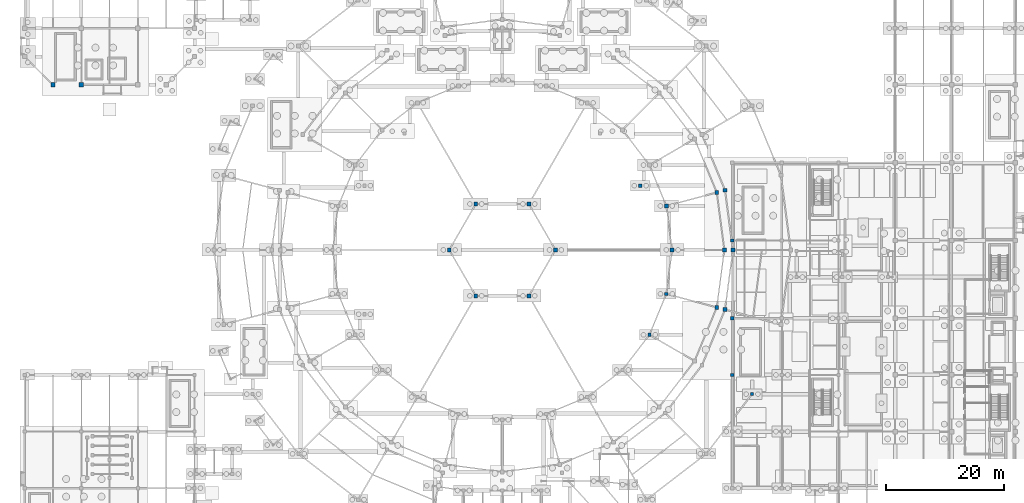
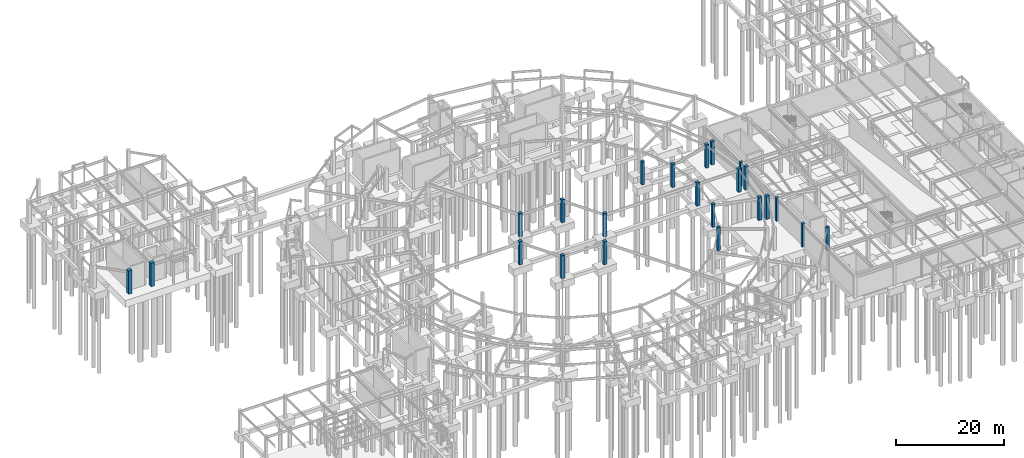
# One storey, part 18 of 55: 23 columns.
"""IFC4 building model written with IfcOpenShell, lengths in metres."""

from ifc_helpers import new_model, si_unit, direction, frame, origin, origin_2d, place, context, subcontext, project, spatial, rectangle, extrude, material, material_profile, profile_set, type_object, element, save


model = new_model("IFC4")

# Units and contexts
model_context = context("Model", 3, precision=1e-05, world=origin(), true_north=direction((0.0, 1.0)))
body_context = subcontext(model_context, "Body", "Model", "MODEL_VIEW")
ifc_project = project(units=[si_unit("LENGTHUNIT", "METRE"), si_unit("AREAUNIT", "SQUARE_METRE"), si_unit("VOLUMEUNIT", "CUBIC_METRE"), si_unit("PLANEANGLEUNIT", "RADIAN"), si_unit("MASSUNIT", "GRAM", prefix="KILO")], contexts=[model_context])

# Site, building, storey
site_placement = place(None, origin())
site = spatial("IfcSite", under=ifc_project, at=site_placement, CompositionType="ELEMENT")
building_placement = place(site_placement, origin())
building = spatial("IfcBuilding", under=site, at=building_placement, Name="Almandine Court Research Institute", CompositionType="ELEMENT")
storey_placement = place(building_placement, frame((0.0, 0.0, -5.25)))
storey = spatial("IfcBuildingStorey", under=building, at=storey_placement, Name="B1", CompositionType="ELEMENT", Elevation=-5.25)

# Columns
ifc_material = material(Name="Concrete C40/50", Category="concrete")
ifc_material_profile_1 = material_profile(ifc_material, rectangle(XDim=0.75, YDim=0.75, at=origin_2d()), Name="RC 750x750")
ifc_profile_set_1 = profile_set([ifc_material_profile_1], Name="Concrete C40/50")
column_type_1 = type_object("IfcColumnType", Name="Col-C-RC1", PredefinedType="COLUMN", material=ifc_profile_set_1)
for number, where, z_axis, x_axis, name in (
    (1, (15.60009765625, 84.0, 0.0), (0.0, 0.0, 1.0), (1.0, 0.0, 0.0), "B1 V3 Column V3-X2Y1"),
    (2, (10.800048828125, 84.0, 0.0), (0.0, 0.0, 1.0), (1.0, 0.0, 0.0), "B1 V3 Column V3-CH1"),
):
    element("IfcColumn", number, at=place(storey_placement, frame(where, z_axis=z_axis, x_axis=x_axis)), inside=storey, type_object=column_type_1, Name=name, PredefinedType="COLUMN", context=body_context, shape_type="SweptSolid", body=[
        extrude(rectangle(XDim=0.75, YDim=0.75, at=origin_2d()), origin(), (0.0, 0.0, 1.0), 5.25),
    ])
ifc_material_profile_2 = material_profile(ifc_material, rectangle(XDim=0.64990234375, YDim=0.64990234375, at=origin_2d()), Name="RC 650x650")
ifc_profile_set_2 = profile_set([ifc_material_profile_2], Name="Concrete C40/50")
column_type_2 = type_object("IfcColumnType", Name="Col-C-RC2", PredefinedType="COLUMN", material=ifc_profile_set_2)
for number, where, z_axis, x_axis, name in (
    (3, (126.10009765625, 56.0, 0.0), (0.0, 0.0, 1.0), (1.0, 0.0, 0.0), "B1 V5 Column V5-IN-S00"),
    (4, (124.76806640625, 66.1201171875, 0.0), (0.0, 0.0, 1.0), (1.0, 0.0, 0.0), "B1 V5 Column V5-IN-S01"),
    (5, (124.76806640625, 45.8798828125, 0.0), (0.0, 0.0, 1.0), (1.0, 0.0, 0.0), "B1 V5 Column V5-IN-S23"),
    (6, (124.64990234375, 56.0, 0.0), (0.0, 0.0, 1.0), (1.0, 0.0, 0.0), "B1 V2 Column V2-OUT-S00"),
    (7, (123.366943359375, 65.7451171875, 0.0), (0.0, 0.0, 1.0), (1.0, 0.0, 0.0), "B1 V2 Column V2-OUT-S01"),
    (8, (123.366943359375, 46.2548828125, 0.0), (0.0, 0.0, 1.0), (1.0, 0.0, 0.0), "B1 V2 Column V2-OUT-S23"),
    (9, (115.800048828125, 56.0, 0.0), (0.0, 0.0, 1.0), (1.0, 0.0, 0.0), "B1 V2 Column V2-MID-S00"),
    (10, (114.819091796875, 63.4541015625, 0.0), (0.0, 0.0, 1.0), (1.0, 0.0, 0.0), "B1 V2 Column V2-MID-S01"),
    (11, (96.0, 56.0, 0.0), (0.0, 0.0, 1.0), (1.0, 0.0, 0.0), "B1 V2-IN Column V2-OCU-C1"),
    (12, (91.5, 63.7939453125, 0.0), (0.0, 0.0, 1.0), (1.0, 0.0, 0.0), "B1 V2-IN Column V2-OCU-C2"),
    (13, (82.5, 63.7939453125, 0.0), (0.0, 0.0, 1.0), (1.0, 0.0, 0.0), "B1 V2-IN Column V2-OCU-C3"),
    (14, (78.0, 56.0, 0.0), (0.0, 0.0, 1.0), (1.0, 0.0, 0.0), "B1 V2-IN Column V2-OCU-C4"),
    (15, (82.5, 48.2060546875, 0.0), (0.0, 0.0, 1.0), (1.0, 0.0, 0.0), "B1 V2-IN Column V2-OCU-C5"),
    (16, (91.5, 48.2060546875, 0.0), (0.0, 0.0, 1.0), (1.0, 0.0, 0.0), "B1 V2-IN Column V2-OCU-C6"),
):
    element("IfcColumn", number, at=place(storey_placement, frame(where, z_axis=z_axis, x_axis=x_axis)), inside=storey, type_object=column_type_2, Name=name, PredefinedType="COLUMN", context=body_context, shape_type="SweptSolid", body=[
        extrude(rectangle(XDim=0.64990234375, YDim=0.64990234375, at=origin_2d()), origin(), (0.0, 0.0, 1.0), 5.25),
    ])
ifc_material_profile_3 = material_profile(ifc_material, rectangle(XDim=0.550048828125, YDim=0.550048828125, at=origin_2d()), Name="RC 550x550")
ifc_profile_set_3 = profile_set([ifc_material_profile_3], Name="Concrete C40/50")
column_type_3 = type_object("IfcColumnType", Name="Col-C-RC3", PredefinedType="COLUMN", material=ifc_profile_set_3)
for number, where, z_axis, x_axis, name in (
    (17, (126.0, 34.800048828125, 0.0), (0.0, 0.0, 1.0), (1.0, 0.0, 0.0), "B1 B1G Column B1G-X1Y3"),
    (18, (126.0, 44.39990234375, 0.0), (0.0, 0.0, 1.0), (1.0, 0.0, 0.0), "B1 B1G Column B1G-X1Y4"),
    (19, (126.0, 57.60009765625, 0.0), (0.0, 0.0, 1.0), (1.0, 0.0, 0.0), "B1 B1G Column B1G-X1Y5"),
    (20, (129.34912109375, 31.550048828125, 0.0), (0.0, 0.0, 1.0), (1.0, 0.0, 0.0), "B1 V5 Column V5-OUT-S22"),
    (21, (111.94189453125, 41.60009765625, 0.0), (0.0, 0.0, 1.0), (1.0, 0.0, 0.0), "B1 V2 Column V2-MID-S22"),
    (22, (114.819091796875, 48.5458984375, 0.0), (0.0, 0.0, 1.0), (1.0, 0.0, 0.0), "B1 V2 Column V2-MID-S23"),
    (23, (110.383056640625, 66.904052734375, 0.0), (0.0, 0.0, 1.0), (1.0, 0.0, 0.0), "B1 V2 Column STAT1"),
):
    element("IfcColumn", number, at=place(storey_placement, frame(where, z_axis=z_axis, x_axis=x_axis)), inside=storey, type_object=column_type_3, Name=name, PredefinedType="COLUMN", context=body_context, shape_type="SweptSolid", body=[
        extrude(rectangle(XDim=0.550048828125, YDim=0.550048828125, at=origin_2d()), origin(), (0.0, 0.0, 1.0), 5.25),
    ])

save(model, "model.ifc")
